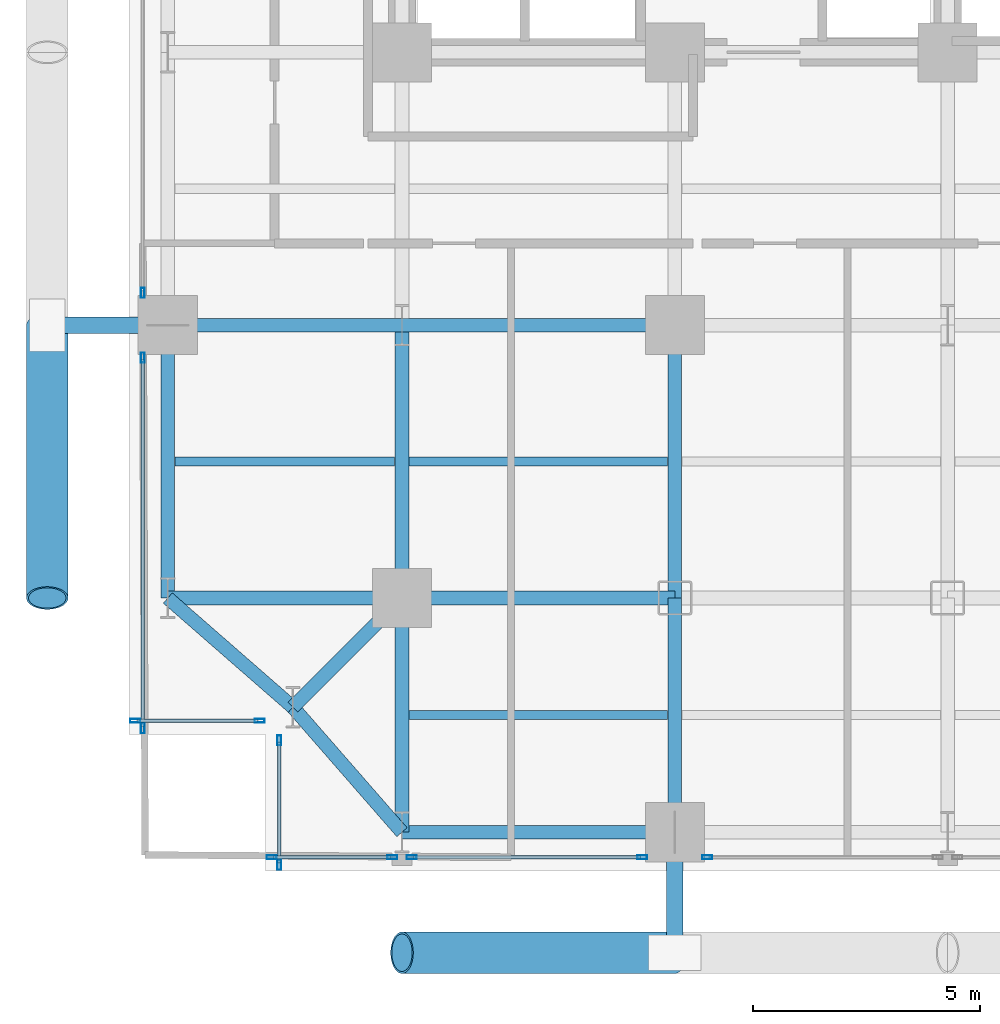
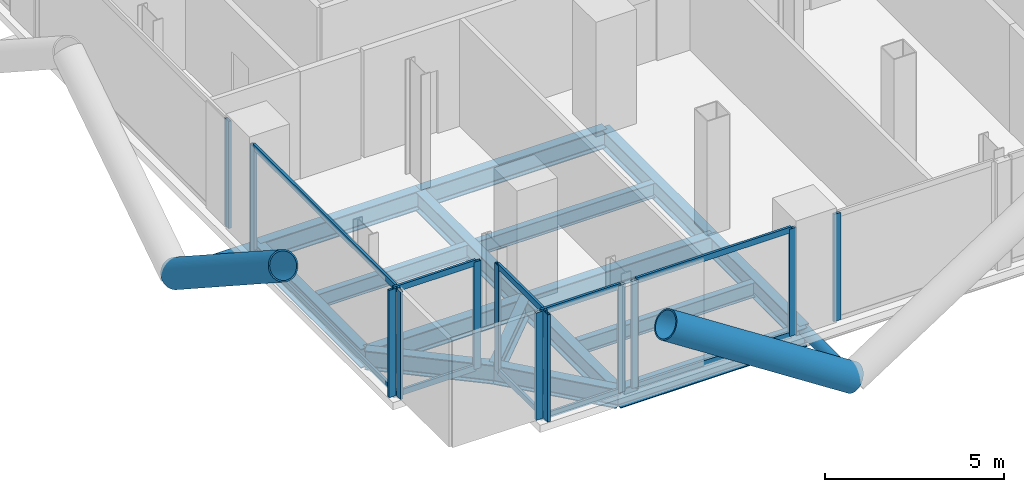
# One storey, part 2 of 27: 26 members, 16 beams, 7 elements without a shape of their own.
"""IFC4 building model written with IfcOpenShell, lengths in metres."""

from ifc_helpers import new_model, si_unit, direction, frame, origin, origin_2d, place, context, subcontext, project, spatial, hollow_rectangle, hollow_circle, i_section, extrude, material, layer, layer_set, material_profile, profile_set, type_object, element, aggregate, save


model = new_model("IFC4")

# Units and contexts
model_context = context("Model", 3, precision=1e-05, world=origin(), true_north=direction((0.0, 1.0)))
body_context = subcontext(model_context, "Body", "Model", "MODEL_VIEW")
ifc_project = project(units=[si_unit("LENGTHUNIT", "METRE"), si_unit("AREAUNIT", "SQUARE_METRE"), si_unit("VOLUMEUNIT", "CUBIC_METRE"), si_unit("PLANEANGLEUNIT", "RADIAN"), si_unit("MASSUNIT", "GRAM", prefix="KILO"), si_unit("THERMODYNAMICTEMPERATUREUNIT", "KELVIN"), si_unit("POWERUNIT", "WATT")], contexts=[model_context])

# Site, building, storey
site_placement = place(None, origin())
site = spatial("IfcSite", under=ifc_project, at=site_placement, CompositionType="ELEMENT")
building_placement = place(site_placement, origin())
building = spatial("IfcBuilding", under=site, at=building_placement, Name="Svarakhadi Broadcast Tower", CompositionType="ELEMENT")
storey_placement = place(building_placement, frame((0.0, 0.0, 59.699951171875)))
storey = spatial("IfcBuildingStorey", under=building, at=storey_placement, Name="L13", CompositionType="ELEMENT", Elevation=59.699951171875)

# Beams
ifc_material_1 = material(Name="Steel S355J2 (IS 2062 E350C)", Category="steel")
ifc_material_profile_1 = material_profile(ifc_material_1, i_section(OverallWidth=0.199951171875, OverallDepth=0.5, WebThickness=0.01025390625, FlangeThickness=0.01611328125, FilletRadius=0.02099609375, at=origin_2d()), Name="NPB 500x200x91")
ifc_profile_set_1 = profile_set([ifc_material_profile_1], Name="Steel S355J2 (IS 2062 E350C)")
beam_type_1 = type_object("IfcBeamType", Name="Beam_NPB500", PredefinedType="BEAM", material=ifc_profile_set_1)
beam_1_placement = place(storey_placement, frame((1.010009765625, 9.0, -0.5), z_axis=(1.0, 0.0, 0.0), x_axis=(0.0, 1.0, 0.0)))
element("IfcBeam", 1, at=beam_1_placement, inside=storey, type_object=beam_type_1, Name="L13 Secondary Composite Beam SB001", PredefinedType="BEAM", context=body_context, shape_type="SweptSolid", body=[
    extrude(i_section(OverallWidth=0.199951171875, OverallDepth=0.5, WebThickness=0.01025390625, FlangeThickness=0.01611328125, FilletRadius=0.02099609375, at=origin_2d()), origin(), (0.0, 0.0, 1.0), 4.830078125),
])
for number, where, z_axis, x_axis, name in (
    (2, (6.159912109375, 3.425048828125, -0.5), (1.0, 0.0, 0.0), (0.0, 1.0, 0.0), "L13 Secondary Composite Beam SB007"),
    (3, (6.159912109375, 9.0, -0.5), (1.0, 0.0, 0.0), (0.0, 1.0, 0.0), "L13 Secondary Composite Beam SB008"),
):
    element("IfcBeam", number, at=place(storey_placement, frame(where, z_axis=z_axis, x_axis=x_axis)), inside=storey, type_object=beam_type_1, Name=name, PredefinedType="BEAM", context=body_context, shape_type="SweptSolid", body=[
        extrude(i_section(OverallWidth=0.199951171875, OverallDepth=0.5, WebThickness=0.01025390625, FlangeThickness=0.01611328125, FilletRadius=0.02099609375, at=origin_2d()), origin(), (0.0, 0.0, 1.0), 5.68017578125),
    ])

# Curtain wall, members
ifc_material_2 = material(Name="Anodised Bronze Aluminium AA 6063-T6", Category="aluminium")
ifc_layer = layer(ifc_material_2, 0.219970703125)
ifc_layer_set = layer_set([ifc_layer], Name="Anodised Bronze Aluminium AA 6063-T6")
curtain_wall_type = type_object("IfcCurtainWallType", Name="CW_Sys_02", PredefinedType="NOTDEFINED", material=ifc_layer_set)
curtain_wall_1_placement = place(storey_placement, origin())
curtain_wall_1 = element("IfcCurtainWall", 4, at=curtain_wall_1_placement, inside=storey, type_object=curtain_wall_type, Name="L13 Unitised Facade Curtain Wall 01", PredefinedType="NOTDEFINED")
ifc_material_profile_2 = material_profile(ifc_material_2, hollow_rectangle(XDim=0.0849609375, YDim=0.219970703125, WallThickness=0.006103515625, at=origin_2d()), Name="ALU MULLION 220x85x6")
ifc_profile_set_2 = profile_set([ifc_material_profile_2], Name="Anodised Bronze Aluminium AA 6063-T6")
member_type_1 = type_object("IfcMemberType", Name="CW_Sys_02_Mul", PredefinedType="MULLION", material=ifc_profile_set_2)
member_1_placement = place(storey_placement, frame((2.867431640625, 3.300048828125, 0.0), z_axis=(0.0, 0.0, 1.0), x_axis=(0.0, -1.0, 0.0)))
member_1 = element("IfcMember", 5, at=member_1_placement, type_object=member_type_1, Name="CW-02 mullion 1", PredefinedType="MULLION", context=body_context, shape_type="SweptSolid", body=[
    extrude(hollow_rectangle(XDim=0.0849609375, YDim=0.219970703125, WallThickness=0.006103515625, at=origin_2d()), origin(), (0.0, 0.0, 1.0), 3.650146484375),
])
member_2_placement = place(storey_placement, frame((0.132568359375, 3.300048828125, 0.0), z_axis=(0.0, 0.0, 1.0), x_axis=(0.0, -1.0, 0.0)))
member_2 = element("IfcMember", 6, at=member_2_placement, type_object=member_type_1, Name="CW-02 mullion 2", PredefinedType="MULLION", context=body_context, shape_type="SweptSolid", body=[
    extrude(hollow_rectangle(XDim=0.0849609375, YDim=0.219970703125, WallThickness=0.006103515625, at=origin_2d()), origin(), (0.0, 0.0, 1.0), 3.650146484375),
])

curtain_wall_2_placement = place(storey_placement, origin())
curtain_wall_2 = element("IfcCurtainWall", 7, at=curtain_wall_2_placement, inside=storey, type_object=curtain_wall_type, Name="L13 West Curtain Wall 02 Bay 1", PredefinedType="NOTDEFINED")
member_3_placement = place(storey_placement, frame((0.300048828125, 3.132568359375, 0.0), z_axis=(0.0, 0.0, 1.0), x_axis=(-1.0, 0.0, 0.0)))
member_3 = element("IfcMember", 8, at=member_3_placement, type_object=member_type_1, Name="CW-02 mullion 1", PredefinedType="MULLION", context=body_context, shape_type="SweptSolid", body=[
    extrude(hollow_rectangle(XDim=0.0849609375, YDim=0.219970703125, WallThickness=0.006103515625, at=origin_2d()), origin(), (0.0, 0.0, 1.0), 3.650146484375),
])
member_4_placement = place(storey_placement, frame((0.300048828125, 11.28759765625, 0.0), z_axis=(0.0, 0.0, 1.0), x_axis=(-1.0, 0.0, 0.0)))
member_4 = element("IfcMember", 9, at=member_4_placement, type_object=member_type_1, Name="CW-02 mullion 2", PredefinedType="MULLION", context=body_context, shape_type="SweptSolid", body=[
    extrude(hollow_rectangle(XDim=0.0849609375, YDim=0.219970703125, WallThickness=0.006103515625, at=origin_2d()), origin(), (0.0, 0.0, 1.0), 3.650146484375),
])

# Curtain wall, member
curtain_wall_3_placement = place(storey_placement, origin())
curtain_wall_3 = element("IfcCurtainWall", 10, at=curtain_wall_3_placement, inside=storey, type_object=curtain_wall_type, Name="L13 West Curtain Wall 02 Bay 2", PredefinedType="NOTDEFINED")
member_5_placement = place(storey_placement, frame((0.300048828125, 12.71240234375, 0.0), z_axis=(0.0, 0.0, 1.0), x_axis=(-1.0, 0.0, 0.0)))
member_5 = element("IfcMember", 11, at=member_5_placement, type_object=member_type_1, Name="CW-02 mullion 1", PredefinedType="MULLION", context=body_context, shape_type="SweptSolid", body=[
    extrude(hollow_rectangle(XDim=0.0849609375, YDim=0.219970703125, WallThickness=0.006103515625, at=origin_2d()), origin(), (0.0, 0.0, 1.0), 3.650146484375),
])
aggregate(curtain_wall_3, [member_5])

curtain_wall_4_placement = place(storey_placement, origin())
curtain_wall_4 = element("IfcCurtainWall", 12, at=curtain_wall_4_placement, inside=storey, type_object=curtain_wall_type, Name="L13 South Curtain Wall 17 Bay 5", PredefinedType="NOTDEFINED")
member_6_placement = place(storey_placement, frame((12.71240234375, 0.300048828125, 0.0), z_axis=(0.0, 0.0, 1.0), x_axis=(0.0, -1.0, 0.0)))
member_6 = element("IfcMember", 13, at=member_6_placement, type_object=member_type_1, Name="CW-02 mullion 2", PredefinedType="MULLION", context=body_context, shape_type="SweptSolid", body=[
    extrude(hollow_rectangle(XDim=0.0849609375, YDim=0.219970703125, WallThickness=0.006103515625, at=origin_2d()), origin(), (0.0, 0.0, 1.0), 3.650146484375),
])
aggregate(curtain_wall_4, [member_6])

# Curtain wall, members
curtain_wall_5_placement = place(storey_placement, origin())
curtain_wall_5 = element("IfcCurtainWall", 14, at=curtain_wall_5_placement, inside=storey, type_object=curtain_wall_type, Name="L13 South Curtain Wall 17 Bay 6", PredefinedType="NOTDEFINED")
member_7_placement = place(storey_placement, frame((11.28759765625, 0.300048828125, 0.0), z_axis=(0.0, 0.0, 1.0), x_axis=(0.0, -1.0, 0.0)))
member_7 = element("IfcMember", 15, at=member_7_placement, type_object=member_type_1, Name="CW-02 mullion 1", PredefinedType="MULLION", context=body_context, shape_type="SweptSolid", body=[
    extrude(hollow_rectangle(XDim=0.0849609375, YDim=0.219970703125, WallThickness=0.006103515625, at=origin_2d()), origin(), (0.0, 0.0, 1.0), 3.650146484375),
])
member_8_placement = place(storey_placement, frame((6.21240234375, 0.300048828125, 0.0), z_axis=(0.0, 0.0, 1.0), x_axis=(0.0, -1.0, 0.0)))
member_8 = element("IfcMember", 16, at=member_8_placement, type_object=member_type_1, Name="CW-02 mullion 2", PredefinedType="MULLION", context=body_context, shape_type="SweptSolid", body=[
    extrude(hollow_rectangle(XDim=0.0849609375, YDim=0.219970703125, WallThickness=0.006103515625, at=origin_2d()), origin(), (0.0, 0.0, 1.0), 3.650146484375),
])

curtain_wall_6_placement = place(storey_placement, origin())
curtain_wall_6 = element("IfcCurtainWall", 17, at=curtain_wall_6_placement, inside=storey, type_object=curtain_wall_type, Name="L13 South Curtain Wall 17 Bay 7", PredefinedType="NOTDEFINED")
member_9_placement = place(storey_placement, frame((5.78759765625, 0.300048828125, 0.0), z_axis=(0.0, 0.0, 1.0), x_axis=(0.0, -1.0, 0.0)))
member_9 = element("IfcMember", 18, at=member_9_placement, type_object=member_type_1, Name="CW-02 mullion 1", PredefinedType="MULLION", context=body_context, shape_type="SweptSolid", body=[
    extrude(hollow_rectangle(XDim=0.0849609375, YDim=0.219970703125, WallThickness=0.006103515625, at=origin_2d()), origin(), (0.0, 0.0, 1.0), 3.650146484375),
])
member_10_placement = place(storey_placement, frame((3.132568359375, 0.300048828125, 0.0), z_axis=(0.0, 0.0, 1.0), x_axis=(0.0, -1.0, 0.0)))
member_10 = element("IfcMember", 19, at=member_10_placement, type_object=member_type_1, Name="CW-02 mullion 2", PredefinedType="MULLION", context=body_context, shape_type="SweptSolid", body=[
    extrude(hollow_rectangle(XDim=0.0849609375, YDim=0.219970703125, WallThickness=0.006103515625, at=origin_2d()), origin(), (0.0, 0.0, 1.0), 3.650146484375),
])

curtain_wall_7_placement = place(storey_placement, origin())
curtain_wall_7 = element("IfcCurtainWall", 20, at=curtain_wall_7_placement, inside=storey, type_object=curtain_wall_type, Name="L13 Unitised Facade Curtain Wall 18", PredefinedType="NOTDEFINED")
member_11_placement = place(storey_placement, frame((3.300048828125, 0.132568359375, 0.0), z_axis=(0.0, 0.0, 1.0), x_axis=(-1.0, 0.0, 0.0)))
member_11 = element("IfcMember", 21, at=member_11_placement, type_object=member_type_1, Name="CW-02 mullion 1", PredefinedType="MULLION", context=body_context, shape_type="SweptSolid", body=[
    extrude(hollow_rectangle(XDim=0.0849609375, YDim=0.219970703125, WallThickness=0.006103515625, at=origin_2d()), origin(), (0.0, 0.0, 1.0), 3.650146484375),
])
member_12_placement = place(storey_placement, frame((3.300048828125, 2.867431640625, 0.0), z_axis=(0.0, 0.0, 1.0), x_axis=(-1.0, 0.0, 0.0)))
member_12 = element("IfcMember", 22, at=member_12_placement, type_object=member_type_1, Name="CW-02 mullion 2", PredefinedType="MULLION", context=body_context, shape_type="SweptSolid", body=[
    extrude(hollow_rectangle(XDim=0.0849609375, YDim=0.219970703125, WallThickness=0.006103515625, at=origin_2d()), origin(), (0.0, 0.0, 1.0), 3.650146484375),
])

# Member
ifc_material_profile_3 = material_profile(ifc_material_2, hollow_rectangle(XDim=0.074951171875, YDim=0.199951171875, WallThickness=0.0048828125, at=origin_2d()), Name="ALU TRANSOM 200x75x5")
ifc_profile_set_3 = profile_set([ifc_material_profile_3], Name="Anodised Bronze Aluminium AA 6063-T6")
member_type_2 = type_object("IfcMemberType", Name="CW_Sys_02_Trn", PredefinedType="USERDEFINED", material=ifc_profile_set_3)
member_13_placement = place(storey_placement, frame((2.824951171875, 3.300048828125, 0.03759765625), z_axis=(-1.0, 0.0, 0.0), x_axis=(0.0, -1.0, 0.0)))
member_13 = element("IfcMember", 23, at=member_13_placement, type_object=member_type_2, Name="CW-02 transom 1.1", ObjectType="TRANSOM", PredefinedType="USERDEFINED", context=body_context, shape_type="SweptSolid", body=[
    extrude(hollow_rectangle(XDim=0.074951171875, YDim=0.199951171875, WallThickness=0.0048828125, at=origin_2d()), origin(), (0.0, 0.0, 1.0), 2.64990234375),
])

member_14_placement = place(storey_placement, frame((2.824951171875, 3.300048828125, 3.612548828125), z_axis=(-1.0, 0.0, 0.0), x_axis=(0.0, -1.0, 0.0)))
member_14 = element("IfcMember", 24, at=member_14_placement, type_object=member_type_2, Name="CW-02 transom 1.2", ObjectType="TRANSOM", PredefinedType="USERDEFINED", context=body_context, shape_type="SweptSolid", body=[
    extrude(hollow_rectangle(XDim=0.074951171875, YDim=0.199951171875, WallThickness=0.0048828125, at=origin_2d()), origin(), (0.0, 0.0, 1.0), 2.64990234375),
])

aggregate(curtain_wall_1, [member_1, member_2, member_13, member_14])

member_15_placement = place(storey_placement, frame((0.300048828125, 3.175048828125, 0.03759765625), z_axis=(0.0, 1.0, 0.0), x_axis=(-1.0, 0.0, 0.0)))
member_15 = element("IfcMember", 25, at=member_15_placement, type_object=member_type_2, Name="CW-02 transom 1.1", ObjectType="TRANSOM", PredefinedType="USERDEFINED", context=body_context, shape_type="SweptSolid", body=[
    extrude(hollow_rectangle(XDim=0.074951171875, YDim=0.199951171875, WallThickness=0.0048828125, at=origin_2d()), origin(), (0.0, 0.0, 1.0), 8.070068359375),
])

member_16_placement = place(storey_placement, frame((0.300048828125, 3.175048828125, 3.612548828125), z_axis=(0.0, 1.0, 0.0), x_axis=(-1.0, 0.0, 0.0)))
member_16 = element("IfcMember", 26, at=member_16_placement, type_object=member_type_2, Name="CW-02 transom 1.2", ObjectType="TRANSOM", PredefinedType="USERDEFINED", context=body_context, shape_type="SweptSolid", body=[
    extrude(hollow_rectangle(XDim=0.074951171875, YDim=0.199951171875, WallThickness=0.0048828125, at=origin_2d()), origin(), (0.0, 0.0, 1.0), 8.070068359375),
])

aggregate(curtain_wall_2, [member_3, member_4, member_15, member_16])

member_17_placement = place(storey_placement, frame((11.2451171875, 0.300048828125, 0.03759765625), z_axis=(-1.0, 0.0, 0.0), x_axis=(0.0, -1.0, 0.0)))
member_17 = element("IfcMember", 27, at=member_17_placement, type_object=member_type_2, Name="CW-02 transom 1.1", ObjectType="TRANSOM", PredefinedType="USERDEFINED", context=body_context, shape_type="SweptSolid", body=[
    extrude(hollow_rectangle(XDim=0.074951171875, YDim=0.199951171875, WallThickness=0.0048828125, at=origin_2d()), origin(), (0.0, 0.0, 1.0), 4.990234375),
])

member_18_placement = place(storey_placement, frame((11.2451171875, 0.300048828125, 3.612548828125), z_axis=(-1.0, 0.0, 0.0), x_axis=(0.0, -1.0, 0.0)))
member_18 = element("IfcMember", 28, at=member_18_placement, type_object=member_type_2, Name="CW-02 transom 1.2", ObjectType="TRANSOM", PredefinedType="USERDEFINED", context=body_context, shape_type="SweptSolid", body=[
    extrude(hollow_rectangle(XDim=0.074951171875, YDim=0.199951171875, WallThickness=0.0048828125, at=origin_2d()), origin(), (0.0, 0.0, 1.0), 4.990234375),
])

aggregate(curtain_wall_5, [member_7, member_8, member_17, member_18])

member_19_placement = place(storey_placement, frame((5.7451171875, 0.300048828125, 0.03759765625), z_axis=(-1.0, 0.0, 0.0), x_axis=(0.0, -1.0, 0.0)))
member_19 = element("IfcMember", 29, at=member_19_placement, type_object=member_type_2, Name="CW-02 transom 1.1", ObjectType="TRANSOM", PredefinedType="USERDEFINED", context=body_context, shape_type="SweptSolid", body=[
    extrude(hollow_rectangle(XDim=0.074951171875, YDim=0.199951171875, WallThickness=0.0048828125, at=origin_2d()), origin(), (0.0, 0.0, 1.0), 2.570068359375),
])

member_20_placement = place(storey_placement, frame((5.7451171875, 0.300048828125, 3.612548828125), z_axis=(-1.0, 0.0, 0.0), x_axis=(0.0, -1.0, 0.0)))
member_20 = element("IfcMember", 30, at=member_20_placement, type_object=member_type_2, Name="CW-02 transom 1.2", ObjectType="TRANSOM", PredefinedType="USERDEFINED", context=body_context, shape_type="SweptSolid", body=[
    extrude(hollow_rectangle(XDim=0.074951171875, YDim=0.199951171875, WallThickness=0.0048828125, at=origin_2d()), origin(), (0.0, 0.0, 1.0), 2.570068359375),
])

aggregate(curtain_wall_6, [member_9, member_10, member_19, member_20])

member_21_placement = place(storey_placement, frame((3.300048828125, 0.175048828125, 0.03759765625), z_axis=(0.0, 1.0, 0.0), x_axis=(-1.0, 0.0, 0.0)))
member_21 = element("IfcMember", 31, at=member_21_placement, type_object=member_type_2, Name="CW-02 transom 1.1", ObjectType="TRANSOM", PredefinedType="USERDEFINED", context=body_context, shape_type="SweptSolid", body=[
    extrude(hollow_rectangle(XDim=0.074951171875, YDim=0.199951171875, WallThickness=0.0048828125, at=origin_2d()), origin(), (0.0, 0.0, 1.0), 2.64990234375),
])

member_22_placement = place(storey_placement, frame((3.300048828125, 0.175048828125, 3.612548828125), z_axis=(0.0, 1.0, 0.0), x_axis=(-1.0, 0.0, 0.0)))
member_22 = element("IfcMember", 32, at=member_22_placement, type_object=member_type_2, Name="CW-02 transom 1.2", ObjectType="TRANSOM", PredefinedType="USERDEFINED", context=body_context, shape_type="SweptSolid", body=[
    extrude(hollow_rectangle(XDim=0.074951171875, YDim=0.199951171875, WallThickness=0.0048828125, at=origin_2d()), origin(), (0.0, 0.0, 1.0), 2.64990234375),
])

aggregate(curtain_wall_7, [member_11, member_12, member_21, member_22])

# Members
ifc_material_3 = material(Name="Steel S460ML (IS 2062 E450BR)", Category="steel")
ifc_material_profile_4 = material_profile(ifc_material_3, hollow_circle(Radius=0.45703125, WallThickness=0.044921875, at=origin_2d()), Name="CHS 914x45")
ifc_profile_set_4 = profile_set([ifc_material_profile_4], Name="Steel S460ML (IS 2062 E450BR)")
member_type_3 = type_object("IfcMemberType", Name="Exo_Brace_CHS914", PredefinedType="BRACE", material=ifc_profile_set_4)
for number, where, z_axis, x_axis, name in (
    (33, (12.0, -1.800048828125, -0.427734375), (-0.838449851971, 0.0, 0.544978757136), (0.0, -1.0, 0.0), "L13 Exposed Bronze Exoskeleton Diagonal S01"),
    (34, (-1.800048828125, 12.0, -0.427734375), (0.0, -0.838449851971, 0.544978757136), (1.0, 0.0, 0.0), "L13 Exposed Bronze Exoskeleton Diagonal W06"),
):
    element("IfcMember", number, at=place(storey_placement, frame(where, z_axis=z_axis, x_axis=x_axis)), inside=storey, type_object=member_type_3, Name=name, PredefinedType="BRACE", context=body_context, shape_type="SweptSolid", body=[
        extrude(hollow_circle(Radius=0.45703125, WallThickness=0.044921875, at=origin_2d()), origin(), (0.0, 0.0, 1.0), 7.156005859375),
    ])
ifc_material_profile_5 = material_profile(ifc_material_3, hollow_circle(Radius=0.177734375, WallThickness=0.02001953125, at=origin_2d()), Name="CHS 355.6x20")
ifc_profile_set_5 = profile_set([ifc_material_profile_5], Name="Steel S460ML (IS 2062 E450BR)")
member_type_4 = type_object("IfcMemberType", Name="Exo_Radial_Strut_Z1", PredefinedType="STRUT", material=ifc_profile_set_5)
for number, where, z_axis, x_axis, name in (
    (35, (12.0, -1.800048828125, -0.427734375), (0.0, 1.0, 0.0), (-1.0, 0.0, 0.0), "L13 Exoskeleton Radial Tie Strut S01"),
    (36, (-1.800048828125, 12.0, -0.427734375), (1.0, 0.0, 0.0), (0.0, 1.0, 0.0), "L13 Exoskeleton Radial Tie Strut W04"),
):
    element("IfcMember", number, at=place(storey_placement, frame(where, z_axis=z_axis, x_axis=x_axis)), inside=storey, type_object=member_type_4, Name=name, PredefinedType="STRUT", context=body_context, shape_type="SweptSolid", body=[
        extrude(hollow_circle(Radius=0.177734375, WallThickness=0.02001953125, at=origin_2d()), origin(), (0.0, 0.0, 1.0), 2.650146484375),
    ])

# Beams
ifc_material_profile_6 = material_profile(ifc_material_1, i_section(OverallWidth=0.300048828125, OverallDepth=0.64990234375, WebThickness=0.01611328125, FlangeThickness=0.031005859375, FilletRadius=0.027099609375, at=origin_2d()), Name="WPB 650x300x225")
ifc_profile_set_6 = profile_set([ifc_material_profile_6], Name="Steel S355J2 (IS 2062 E350C)")
beam_type_2 = type_object("IfcBeamType", Name="Girder_WPB650", PredefinedType="USERDEFINED", material=ifc_profile_set_6)
beam_2_placement = place(storey_placement, frame((3.60009765625, 3.60009765625, -0.574951171875), z_axis=(0.707106781187, 0.707106781187, 0.0), x_axis=(-0.707106781187, 0.707106781187, 0.0)))
element("IfcBeam", 37, at=beam_2_placement, inside=storey, type_object=beam_type_2, Name="L13 Corner Tie Girder G001", ObjectType="GIRDER", PredefinedType="USERDEFINED", context=body_context, shape_type="SweptSolid", body=[
    extrude(i_section(OverallWidth=0.300048828125, OverallDepth=0.64990234375, WebThickness=0.01611328125, FlangeThickness=0.031005859375, FilletRadius=0.027099609375, at=origin_2d()), origin(), (0.0, 0.0, 1.0), 3.39404296875),
])
for number, where, z_axis, x_axis, name in (
    (38, (3.60009765625, 3.60009765625, -0.574951171875), (-0.753437912176, 0.657519058655, 0.0), (-0.657519058655, -0.753437912176, 0.0), "L13 Corner Tie Girder G002"),
    (39, (3.60009765625, 3.60009765625, -0.574951171875), (0.657519058655, -0.753437912176, 0.0), (0.753437912176, 0.657519058655, 0.0), "L13 Corner Tie Girder G003"),
):
    element("IfcBeam", number, at=place(storey_placement, frame(where, z_axis=z_axis, x_axis=x_axis)), inside=storey, type_object=beam_type_2, Name=name, ObjectType="GIRDER", PredefinedType="USERDEFINED", context=body_context, shape_type="SweptSolid", body=[
        extrude(i_section(OverallWidth=0.300048828125, OverallDepth=0.64990234375, WebThickness=0.01611328125, FlangeThickness=0.031005859375, FilletRadius=0.027099609375, at=origin_2d()), origin(), (0.0, 0.0, 1.0), 3.64990234375),
    ])
beam_3_placement = place(storey_placement, frame((6.0, 0.85009765625, -0.574951171875), z_axis=(1.0, 0.0, 0.0), x_axis=(0.0, 1.0, 0.0)))
element("IfcBeam", 40, at=beam_3_placement, inside=storey, type_object=beam_type_2, Name="L13 Primary E-W Girder G004", ObjectType="GIRDER", PredefinedType="USERDEFINED", context=body_context, shape_type="SweptSolid", body=[
    extrude(i_section(OverallWidth=0.300048828125, OverallDepth=0.64990234375, WebThickness=0.01611328125, FlangeThickness=0.031005859375, FilletRadius=0.027099609375, at=origin_2d()), origin(), (0.0, 0.0, 1.0), 6.0),
])
beam_4_placement = place(storey_placement, frame((0.85009765625, 6.0, -0.574951171875), z_axis=(1.0, 0.0, 0.0), x_axis=(0.0, 1.0, 0.0)))
element("IfcBeam", 41, at=beam_4_placement, inside=storey, type_object=beam_type_2, Name="L13 Primary E-W Girder G011", ObjectType="GIRDER", PredefinedType="USERDEFINED", context=body_context, shape_type="SweptSolid", body=[
    extrude(i_section(OverallWidth=0.300048828125, OverallDepth=0.64990234375, WebThickness=0.01611328125, FlangeThickness=0.031005859375, FilletRadius=0.027099609375, at=origin_2d()), origin(), (0.0, 0.0, 1.0), 5.14990234375),
])
beam_5_placement = place(storey_placement, frame((6.0, 6.0, -0.574951171875), z_axis=(1.0, 0.0, 0.0), x_axis=(0.0, 1.0, 0.0)))
element("IfcBeam", 42, at=beam_5_placement, inside=storey, type_object=beam_type_2, Name="L13 Primary E-W Girder G012", ObjectType="GIRDER", PredefinedType="USERDEFINED", context=body_context, shape_type="SweptSolid", body=[
    extrude(i_section(OverallWidth=0.300048828125, OverallDepth=0.64990234375, WebThickness=0.01611328125, FlangeThickness=0.031005859375, FilletRadius=0.027099609375, at=origin_2d()), origin(), (0.0, 0.0, 1.0), 6.0),
])
beam_6_placement = place(storey_placement, frame((0.85009765625, 12.0, -0.574951171875), z_axis=(1.0, 0.0, 0.0), x_axis=(0.0, 1.0, 0.0)))
element("IfcBeam", 43, at=beam_6_placement, inside=storey, type_object=beam_type_2, Name="L13 Primary E-W Girder G019", ObjectType="GIRDER", PredefinedType="USERDEFINED", context=body_context, shape_type="SweptSolid", body=[
    extrude(i_section(OverallWidth=0.300048828125, OverallDepth=0.64990234375, WebThickness=0.01611328125, FlangeThickness=0.031005859375, FilletRadius=0.027099609375, at=origin_2d()), origin(), (0.0, 0.0, 1.0), 5.14990234375),
])
for number, where, z_axis, x_axis, name in (
    (44, (6.0, 12.0, -0.574951171875), (1.0, 0.0, 0.0), (0.0, 1.0, 0.0), "L13 Primary E-W Girder G020"),
    (45, (0.85009765625, 6.0, -0.574951171875), (0.0, 1.0, 0.0), (-1.0, 0.0, 0.0), "L13 Primary N-S Girder G045"),
):
    element("IfcBeam", number, at=place(storey_placement, frame(where, z_axis=z_axis, x_axis=x_axis)), inside=storey, type_object=beam_type_2, Name=name, ObjectType="GIRDER", PredefinedType="USERDEFINED", context=body_context, shape_type="SweptSolid", body=[
        extrude(i_section(OverallWidth=0.300048828125, OverallDepth=0.64990234375, WebThickness=0.01611328125, FlangeThickness=0.031005859375, FilletRadius=0.027099609375, at=origin_2d()), origin(), (0.0, 0.0, 1.0), 6.0),
    ])
beam_7_placement = place(storey_placement, frame((6.0, 0.85009765625, -0.574951171875), z_axis=(0.0, 1.0, 0.0), x_axis=(-1.0, 0.0, 0.0)))
element("IfcBeam", 46, at=beam_7_placement, inside=storey, type_object=beam_type_2, Name="L13 Primary N-S Girder G051", ObjectType="GIRDER", PredefinedType="USERDEFINED", context=body_context, shape_type="SweptSolid", body=[
    extrude(i_section(OverallWidth=0.300048828125, OverallDepth=0.64990234375, WebThickness=0.01611328125, FlangeThickness=0.031005859375, FilletRadius=0.027099609375, at=origin_2d()), origin(), (0.0, 0.0, 1.0), 5.14990234375),
])
beam_8_placement = place(storey_placement, frame((6.0, 6.0, -0.574951171875), z_axis=(0.0, 1.0, 0.0), x_axis=(-1.0, 0.0, 0.0)))
element("IfcBeam", 47, at=beam_8_placement, inside=storey, type_object=beam_type_2, Name="L13 Primary N-S Girder G052", ObjectType="GIRDER", PredefinedType="USERDEFINED", context=body_context, shape_type="SweptSolid", body=[
    extrude(i_section(OverallWidth=0.300048828125, OverallDepth=0.64990234375, WebThickness=0.01611328125, FlangeThickness=0.031005859375, FilletRadius=0.027099609375, at=origin_2d()), origin(), (0.0, 0.0, 1.0), 6.0),
])
beam_9_placement = place(storey_placement, frame((12.0, 0.85009765625, -0.574951171875), z_axis=(0.0, 1.0, 0.0), x_axis=(-1.0, 0.0, 0.0)))
element("IfcBeam", 48, at=beam_9_placement, inside=storey, type_object=beam_type_2, Name="L13 Primary N-S Girder G058", ObjectType="GIRDER", PredefinedType="USERDEFINED", context=body_context, shape_type="SweptSolid", body=[
    extrude(i_section(OverallWidth=0.300048828125, OverallDepth=0.64990234375, WebThickness=0.01611328125, FlangeThickness=0.031005859375, FilletRadius=0.027099609375, at=origin_2d()), origin(), (0.0, 0.0, 1.0), 5.14990234375),
])
beam_10_placement = place(storey_placement, frame((12.0, 6.0, -0.574951171875), z_axis=(0.0, 1.0, 0.0), x_axis=(-1.0, 0.0, 0.0)))
element("IfcBeam", 49, at=beam_10_placement, inside=storey, type_object=beam_type_2, Name="L13 Primary N-S Girder G059", ObjectType="GIRDER", PredefinedType="USERDEFINED", context=body_context, shape_type="SweptSolid", body=[
    extrude(i_section(OverallWidth=0.300048828125, OverallDepth=0.64990234375, WebThickness=0.01611328125, FlangeThickness=0.031005859375, FilletRadius=0.027099609375, at=origin_2d()), origin(), (0.0, 0.0, 1.0), 6.0),
])

save(model, "model.ifc")
